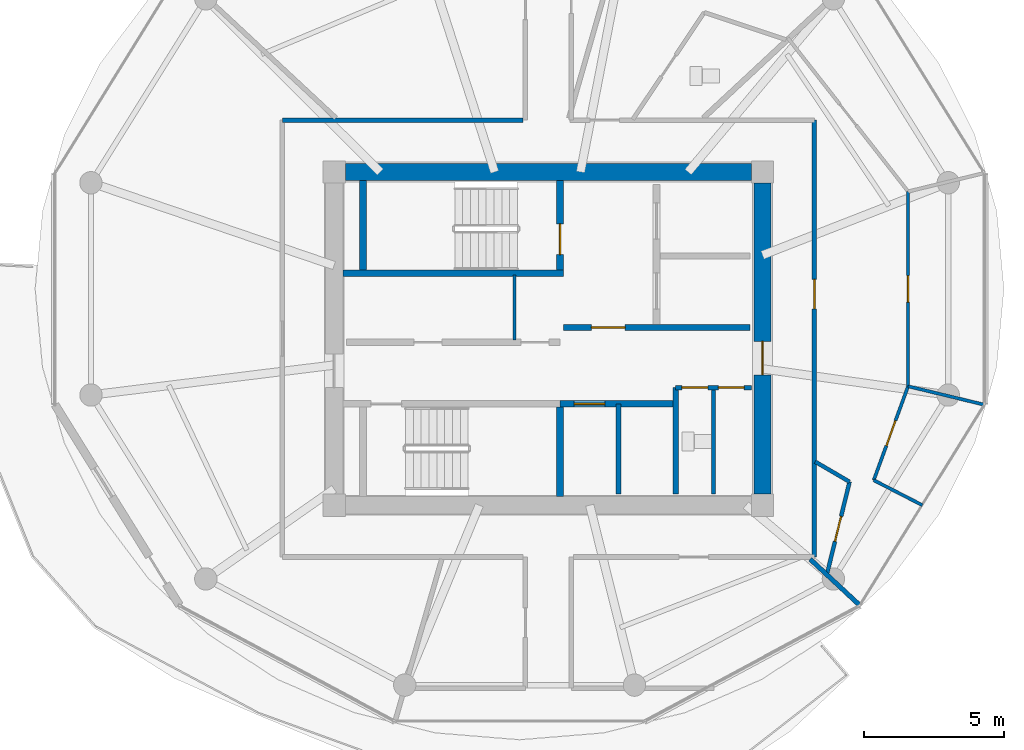
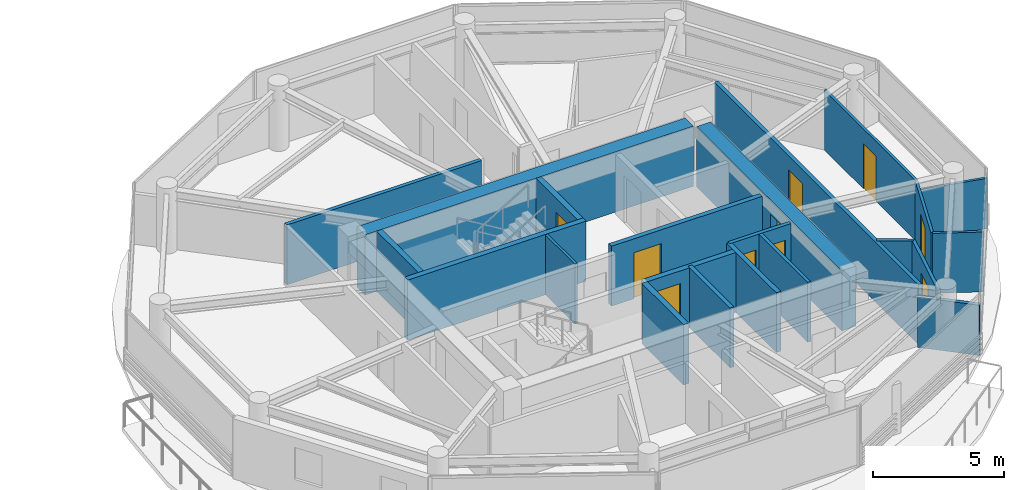
# One storey, part 15 of 21: 22 walls, 10 doors, 10 openings.
"""IFC4 building model written with IfcOpenShell, lengths in metres."""

from ifc_helpers import new_model, si_unit, direction, frame, frame_2d, origin, place, context, subcontext, project, spatial, rectangle, extrude, source, transform, mapped, material, layer, layer_set, type_object, type_shapes, element, fill, save


model = new_model("IFC4")

# Units and contexts
model_context = context("Model", 3, precision=1e-05, world=origin(), true_north=direction((0.0, 1.0)))
body_context = subcontext(model_context, "Body", "Model", "MODEL_VIEW")
ifc_project = project(units=[si_unit("LENGTHUNIT", "METRE"), si_unit("AREAUNIT", "SQUARE_METRE"), si_unit("VOLUMEUNIT", "CUBIC_METRE"), si_unit("PLANEANGLEUNIT", "RADIAN"), si_unit("MASSUNIT", "GRAM", prefix="KILO")], contexts=[model_context])

# Site, building, storey
site_placement = place(None, origin())
site = spatial("IfcSite", under=ifc_project, at=site_placement, CompositionType="ELEMENT")
building_placement = place(site_placement, origin())
building = spatial("IfcBuilding", under=site, at=building_placement, Name="Norrkilde Senior Care Towers", CompositionType="ELEMENT")
storey_placement = place(building_placement, frame((0.0, 0.0, 146.5)))
storey = spatial("IfcBuildingStorey", under=building, at=storey_placement, Name="L45", CompositionType="ELEMENT", Elevation=146.5)

# Wall
ifc_material_1 = material(Name="Concrete C50/60", Category="concrete")
ifc_layer_1 = layer(ifc_material_1, 0.6201171875)
ifc_layer_set_1 = layer_set([ifc_layer_1], Name="Concrete C50/60")
wall_type_1 = type_object("IfcWallType", Name="Core Shear Wall Z3 620", PredefinedType="SHEAR", material=ifc_layer_set_1)
shared_shape_1 = source(origin(), body_context, "Body", "SweptSolid", [
    extrude(rectangle(XDim=14.5, YDim=0.6201171875, at=frame_2d((7.25, 0.0))), origin(), (0.0, 0.0, 1.0), 2.81005859375),
])
wall_1_placement = place(storey_placement, frame((20.75, 5.949951171875, 0.0), z_axis=(0.0, 0.0, 1.0), x_axis=(1.0, 0.0, 0.0)))
element("IfcWall", 1, at=wall_1_placement, inside=storey, type_object=wall_type_1, Name="L45 Core E North Shear Wall", PredefinedType="SHEAR", context=body_context, shape_type="MappedRepresentation", body=[
    mapped(shared_shape_1, transform((0.0, 0.0, 0.0), x_axis=(1.0, 0.0, 0.0), y_axis=(0.0, 1.0, 0.0), z_axis=(0.0, 0.0, 1.0), scale=1.0)),
])

# Wall, opening, door
shared_shape_2 = source(origin(), body_context, "Body", "SweptSolid", [
    extrude(rectangle(XDim=11.10009765625, YDim=0.6201171875, at=frame_2d((5.550048828125, 0.0))), origin(), (0.0, 0.0, 1.0), 2.81005859375),
])
type_shapes(wall_type_1, [shared_shape_1, shared_shape_2])
wall_2_placement = place(storey_placement, frame((35.64990234375, 5.550048828125, 0.0), z_axis=(0.0, 0.0, 1.0), x_axis=(0.0, -1.0, 0.0)))
wall_2 = element("IfcWall", 2, at=wall_2_placement, inside=storey, type_object=wall_type_1, Name="L45 Core E East Shear Wall", PredefinedType="SHEAR", context=body_context, shape_type="MappedRepresentation", body=[
    mapped(shared_shape_2, transform((0.0, 0.0, 0.0), x_axis=(1.0, 0.0, 0.0), y_axis=(0.0, 1.0, 0.0), z_axis=(0.0, 0.0, 1.0), scale=1.0)),
])
opening_1_placement = place(wall_2_placement, frame((5.64990234375, 0.0, 0.0)))
opening_1 = element("IfcOpeningElement", 3, at=opening_1_placement, cuts=wall_2, Name="Opening D-04", PredefinedType="OPENING", context=body_context, shape_type="SweptSolid", body=[
    extrude(rectangle(XDim=1.199951171875, YDim=2.14990234375, at=frame_2d((0.60009765625, 1.074951171875))), frame((0.0, 0.320068359375, 0.0), z_axis=(0.0, -1.0, 0.0), x_axis=(1.0, 0.0, 0.0)), (0.0, 0.0, 1.0), 0.64013671875),
])
ifc_material_2 = material(Name="Galvanised Painted Steel", Category="steel")
door_type_1 = type_object("IfcDoorType", Name="Firefighting Lobby Fire Door 1200x2150", OperationType="NOTDEFINED", PredefinedType="DOOR", material=ifc_material_2)
shared_shape_3 = source(origin(), body_context, "Body", "SweptSolid", [
    extrude(rectangle(XDim=1.199951171875, YDim=2.14990234375, at=frame_2d((0.60009765625, 1.074951171875))), frame((0.0, 0.02490234375, 0.0), z_axis=(0.0, -1.0, 0.0), x_axis=(1.0, 0.0, 0.0)), (0.0, 0.0, 1.0), 0.050048828125),
])
type_shapes(door_type_1, [shared_shape_3])
door_1_placement = place(opening_1_placement, frame((1.199951171875, 0.0, 0.0), z_axis=(0.0, 0.0, 1.0), x_axis=(-1.0, 0.0, 0.0)))
door_1 = element("IfcDoor", 4, at=door_1_placement, inside=storey, type_object=door_type_1, Name="L45 Core E East Portal Door", OperationType="SINGLE_SWING_RIGHT", OverallHeight=2.14990234375, OverallWidth=1.199951171875, PredefinedType="DOOR", context=body_context, shape_type="MappedRepresentation", body=[
    mapped(shared_shape_3, transform((0.0, 0.0, 0.0), x_axis=(1.0, 0.0, 0.0), y_axis=(0.0, 1.0, 0.0), z_axis=(0.0, 0.0, 1.0), scale=1.0)),
])
fill(opening_1, door_1)

# Walls
ifc_material_3 = material(Name="Concrete C45/55", Category="concrete")
ifc_layer_2 = layer(ifc_material_3, 0.239990234375)
ifc_layer_set_2 = layer_set([ifc_layer_2], Name="Concrete C45/55")
wall_type_2 = type_object("IfcWallType", Name="Shaft and Stair Enclosure Wall 240", PredefinedType="PARTITIONING", material=ifc_layer_set_2)
shared_shape_4 = source(origin(), body_context, "Body", "SweptSolid", [
    extrude(rectangle(XDim=7.880126953125, YDim=0.239990234375, at=frame_2d((3.93994140625, 0.0))), origin(), (0.0, 0.0, 1.0), 2.81005859375),
])
wall_3_placement = place(storey_placement, frame((20.659912109375, 2.330078125, 0.0), z_axis=(0.0, 0.0, 1.0), x_axis=(1.0, 0.0, 0.0)))
element("IfcWall", 5, at=wall_3_placement, inside=storey, type_object=wall_type_2, Name="WL-INT-L45-E-ST1S", PredefinedType="PARTITIONING", context=body_context, shape_type="MappedRepresentation", body=[
    mapped(shared_shape_4, transform((0.0, 0.0, 0.0), x_axis=(1.0, 0.0, 0.0), y_axis=(0.0, 1.0, 0.0), z_axis=(0.0, 0.0, 1.0), scale=1.0)),
])
shared_shape_5 = source(origin(), body_context, "Body", "SweptSolid", [
    extrude(rectangle(XDim=3.18994140625, YDim=0.239990234375, at=frame_2d((1.594970703125, 0.0))), origin(), (0.0, 0.0, 1.0), 2.81005859375),
])
type_shapes(wall_type_2, [shared_shape_4, shared_shape_5])
wall_4_placement = place(storey_placement, frame((21.3798828125, 2.449951171875, 0.0), z_axis=(0.0, 0.0, 1.0), x_axis=(0.0, 1.0, 0.0)))
element("IfcWall", 6, at=wall_4_placement, inside=storey, type_object=wall_type_2, Name="WL-INT-L45-E-ST1W", PredefinedType="PARTITIONING", context=body_context, shape_type="MappedRepresentation", body=[
    mapped(shared_shape_5, transform((0.0, 0.0, 0.0), x_axis=(1.0, 0.0, 0.0), y_axis=(0.0, 1.0, 0.0), z_axis=(0.0, 0.0, 1.0), scale=1.0)),
])

# Wall, opening, door
wall_5_placement = place(storey_placement, frame((28.419921875, 2.449951171875, 0.0), z_axis=(0.0, 0.0, 1.0), x_axis=(0.0, 1.0, 0.0)))
wall_5 = element("IfcWall", 7, at=wall_5_placement, inside=storey, type_object=wall_type_2, Name="WL-INT-L45-E-ST1E", PredefinedType="PARTITIONING", context=body_context, shape_type="MappedRepresentation", body=[
    mapped(shared_shape_5, transform((0.0, 0.0, 0.0), x_axis=(1.0, 0.0, 0.0), y_axis=(0.0, 1.0, 0.0), z_axis=(0.0, 0.0, 1.0), scale=1.0)),
])
opening_2_placement = place(wall_5_placement, frame((0.550048828125, 0.0, 0.0)))
opening_2 = element("IfcOpeningElement", 8, at=opening_2_placement, cuts=wall_5, Name="Opening D-03", PredefinedType="OPENING", context=body_context, shape_type="SweptSolid", body=[
    extrude(rectangle(XDim=1.10009765625, YDim=2.14990234375, at=frame_2d((0.550048828125, 1.074951171875))), frame((0.0, 0.1298828125, 0.0), z_axis=(0.0, -1.0, 0.0), x_axis=(1.0, 0.0, 0.0)), (0.0, 0.0, 1.0), 0.260009765625),
])
door_type_2 = type_object("IfcDoorType", Name="Stairwell Protected Fire Door 1100x2150", OperationType="NOTDEFINED", PredefinedType="DOOR", material=ifc_material_2)
shared_shape_6 = source(origin(), body_context, "Body", "SweptSolid", [
    extrude(rectangle(XDim=1.10009765625, YDim=2.14990234375, at=frame_2d((0.550048828125, 1.074951171875))), frame((0.0, 0.02490234375, 0.0), z_axis=(0.0, -1.0, 0.0), x_axis=(1.0, 0.0, 0.0)), (0.0, 0.0, 1.0), 0.050048828125),
])
type_shapes(door_type_2, [shared_shape_6])
door_2_placement = place(opening_2_placement, origin())
door_2 = element("IfcDoor", 9, at=door_2_placement, inside=storey, type_object=door_type_2, Name="L45 Stair E1 Fire Door", OperationType="SINGLE_SWING_LEFT", OverallHeight=2.14990234375, OverallWidth=1.10009765625, PredefinedType="DOOR", context=body_context, shape_type="MappedRepresentation", body=[
    mapped(shared_shape_6, transform((0.0, 0.0, 0.0), x_axis=(1.0, 0.0, 0.0), y_axis=(0.0, 1.0, 0.0), z_axis=(0.0, 0.0, 1.0), scale=1.0)),
])
fill(opening_2, door_2)

# Wall
wall_6_placement = place(storey_placement, frame((28.419921875, -5.639892578125, 0.0), z_axis=(0.0, 0.0, 1.0), x_axis=(0.0, 1.0, 0.0)))
element("IfcWall", 10, at=wall_6_placement, inside=storey, type_object=wall_type_2, Name="WL-INT-L45-E-ST2E", PredefinedType="PARTITIONING", context=body_context, shape_type="MappedRepresentation", body=[
    mapped(shared_shape_5, transform((0.0, 0.0, 0.0), x_axis=(1.0, 0.0, 0.0), y_axis=(0.0, 1.0, 0.0), z_axis=(0.0, 0.0, 1.0), scale=1.0)),
])

# Wall, opening, door
ifc_layer_3 = layer(ifc_material_3, 0.2099609375)
ifc_layer_set_3 = layer_set([ifc_layer_3], Name="Concrete C45/55")
wall_type_3 = type_object("IfcWallType", Name="Firefighting Lobby Wall 210", PredefinedType="PARTITIONING", material=ifc_layer_set_3)
shared_shape_7 = source(origin(), body_context, "Body", "SweptSolid", [
    extrude(rectangle(XDim=6.659912109375, YDim=0.2099609375, at=frame_2d((3.330078125, 0.0))), origin(), (0.0, 0.0, 1.0), 2.794921875),
])
type_shapes(wall_type_3, [shared_shape_7])
wall_7_placement = place(storey_placement, frame((28.5400390625, 0.389892578125, 0.0), z_axis=(0.0, 0.0, 1.0), x_axis=(1.0, 0.0, 0.0)))
wall_7 = element("IfcWall", 11, at=wall_7_placement, inside=storey, type_object=wall_type_3, Name="WL-INT-L45-E-FFLS", PredefinedType="PARTITIONING", context=body_context, shape_type="MappedRepresentation", body=[
    mapped(shared_shape_7, transform((0.0, 0.0, 0.0), x_axis=(1.0, 0.0, 0.0), y_axis=(0.0, 1.0, 0.0), z_axis=(0.0, 0.0, 1.0), scale=1.0)),
])
opening_3_placement = place(wall_7_placement, frame((1.0, 0.0, 0.0)))
opening_3 = element("IfcOpeningElement", 12, at=opening_3_placement, cuts=wall_7, Name="Opening D-04", PredefinedType="OPENING", context=body_context, shape_type="SweptSolid", body=[
    extrude(rectangle(XDim=1.199951171875, YDim=2.14990234375, at=frame_2d((0.60009765625, 1.074951171875))), frame((0.0, 0.114990234375, 0.0), z_axis=(0.0, -1.0, 0.0), x_axis=(1.0, 0.0, 0.0)), (0.0, 0.0, 1.0), 0.22998046875),
])
door_3_placement = place(opening_3_placement, frame((1.199951171875, 0.0, 0.0), z_axis=(0.0, 0.0, 1.0), x_axis=(-1.0, 0.0, 0.0)))
door_3 = element("IfcDoor", 13, at=door_3_placement, inside=storey, type_object=door_type_1, Name="L45 Firefighting Lobby E Door", OperationType="SINGLE_SWING_LEFT", OverallHeight=2.14990234375, OverallWidth=1.199951171875, PredefinedType="DOOR", context=body_context, shape_type="MappedRepresentation", body=[
    mapped(shared_shape_3, transform((0.0, 0.0, 0.0), x_axis=(1.0, 0.0, 0.0), y_axis=(0.0, 1.0, 0.0), z_axis=(0.0, 0.0, 1.0), scale=1.0)),
])
fill(opening_3, door_3)

# Walls
ifc_material_4 = material(Name="Gypsum Acoustic Board")
ifc_layer_4 = layer(ifc_material_4, 0.114990234375)
ifc_layer_set_4 = layer_set([ifc_layer_4], Name="Gypsum Acoustic Board")
wall_type_4 = type_object("IfcWallType", Name="Internal Room Partition 115", PredefinedType="PARTITIONING", material=ifc_layer_set_4)
shared_shape_8 = source(origin(), body_context, "Body", "SweptSolid", [
    extrude(rectangle(XDim=2.330078125, YDim=0.114990234375, at=frame_2d((1.1650390625, 0.0))), origin(), (0.0, 0.0, 1.0), 2.794921875),
])
wall_8_placement = place(storey_placement, frame((26.7900390625, -0.050048828125, 0.0), z_axis=(0.0, 0.0, 1.0), x_axis=(0.0, 1.0, 0.0)))
element("IfcWall", 14, at=wall_8_placement, inside=storey, type_object=wall_type_4, Name="WL-INT-L45-E-RISW", PredefinedType="PARTITIONING", context=body_context, shape_type="MappedRepresentation", body=[
    mapped(shared_shape_8, transform((0.0, 0.0, 0.0), x_axis=(1.0, 0.0, 0.0), y_axis=(0.0, 1.0, 0.0), z_axis=(0.0, 0.0, 1.0), scale=1.0)),
])
ifc_layer_5 = layer(ifc_material_3, 0.199951171875)
ifc_layer_set_5 = layer_set([ifc_layer_5], Name="Concrete C45/55")
wall_type_5 = type_object("IfcWallType", Name="Shaft Division and Plant Partition 200", PredefinedType="PARTITIONING", material=ifc_layer_set_5)
shared_shape_9 = source(origin(), body_context, "Body", "SweptSolid", [
    extrude(rectangle(XDim=3.800048828125, YDim=0.199951171875, at=frame_2d((1.89990234375, 0.0))), origin(), (0.0, 0.0, 1.0), 2.794921875),
])
type_shapes(wall_type_5, [shared_shape_9])
wall_9_placement = place(storey_placement, frame((32.550048828125, -5.550048828125, 0.0), z_axis=(0.0, 0.0, 1.0), x_axis=(0.0, 1.0, 0.0)))
element("IfcWall", 15, at=wall_9_placement, inside=storey, type_object=wall_type_5, Name="WL-INT-L45-E-PKBE", PredefinedType="PARTITIONING", context=body_context, shape_type="MappedRepresentation", body=[
    mapped(shared_shape_9, transform((0.0, 0.0, 0.0), x_axis=(1.0, 0.0, 0.0), y_axis=(0.0, 1.0, 0.0), z_axis=(0.0, 0.0, 1.0), scale=1.0)),
])

# Wall, opening, door
ifc_layer_6 = layer(ifc_material_3, 0.239990234375)
ifc_layer_set_6 = layer_set([ifc_layer_6], Name="Concrete C45/55")
wall_type_6 = type_object("IfcWallType", Name="Lift and Plant Rated Enclosure Partition 240", PredefinedType="PARTITIONING", material=ifc_layer_set_6)
shared_shape_10 = source(origin(), body_context, "Body", "SweptSolid", [
    extrude(rectangle(XDim=4.130126953125, YDim=0.239990234375, at=frame_2d((2.06494140625, 0.0))), origin(), (0.0, 0.0, 1.0), 2.794921875),
])
type_shapes(wall_type_6, [shared_shape_10])
wall_10_placement = place(storey_placement, frame((28.419921875, -2.330078125, 0.0), z_axis=(0.0, 0.0, 1.0), x_axis=(1.0, 0.0, 0.0)))
wall_10 = element("IfcWall", 16, at=wall_10_placement, inside=storey, type_object=wall_type_6, Name="WL-INT-L45-E-PKBN", PredefinedType="PARTITIONING", context=body_context, shape_type="MappedRepresentation", body=[
    mapped(shared_shape_10, transform((0.0, 0.0, 0.0), x_axis=(1.0, 0.0, 0.0), y_axis=(0.0, 1.0, 0.0), z_axis=(0.0, 0.0, 1.0), scale=1.0)),
])
opening_4_placement = place(wall_10_placement, frame((0.5, 0.0, 0.0)))
opening_4 = element("IfcOpeningElement", 17, at=opening_4_placement, cuts=wall_10, Name="Opening LD-01", PredefinedType="OPENING", context=body_context, shape_type="SweptSolid", body=[
    extrude(rectangle(XDim=1.10009765625, YDim=2.199951171875, at=frame_2d((0.550048828125, 1.10009765625))), frame((0.0, 0.1298828125, 0.0), z_axis=(0.0, -1.0, 0.0), x_axis=(1.0, 0.0, 0.0)), (0.0, 0.0, 1.0), 0.260009765625),
])
ifc_material_5 = material(Name="Stainless Steel", Category="steel")
door_type_3 = type_object("IfcDoorType", Name="Lift Landing Sliding Door 1100x2200", OperationType="NOTDEFINED", PredefinedType="DOOR", material=ifc_material_5)
shared_shape_11 = source(origin(), body_context, "Body", "SweptSolid", [
    extrude(rectangle(XDim=1.10009765625, YDim=2.199951171875, at=frame_2d((0.550048828125, 1.10009765625))), frame((0.0, 0.02490234375, 0.0), z_axis=(0.0, -1.0, 0.0), x_axis=(1.0, 0.0, 0.0)), (0.0, 0.0, 1.0), 0.050048828125),
])
type_shapes(door_type_3, [shared_shape_11])
door_4_placement = place(opening_4_placement, frame((1.10009765625, 0.0, 0.0), z_axis=(0.0, 0.0, 1.0), x_axis=(-1.0, 0.0, 0.0)))
door_4 = element("IfcDoor", 18, at=door_4_placement, inside=storey, type_object=door_type_3, Name="L45 Passenger Lift E3 Landing Door", OperationType="SLIDING_TO_LEFT", OverallHeight=2.199951171875, OverallWidth=1.10009765625, PredefinedType="DOOR", context=body_context, shape_type="MappedRepresentation", body=[
    mapped(shared_shape_11, transform((0.0, 0.0, 0.0), x_axis=(1.0, 0.0, 0.0), y_axis=(0.0, 1.0, 0.0), z_axis=(0.0, 0.0, 1.0), scale=1.0)),
])
fill(opening_4, door_4)

# Wall
ifc_layer_7 = layer(ifc_material_3, 0.179931640625)
ifc_layer_set_7 = layer_set([ifc_layer_7], Name="Concrete C45/55")
wall_type_7 = type_object("IfcWallType", Name="Hoistway Division Rated Partition 180", PredefinedType="PARTITIONING", material=ifc_layer_set_7)
shared_shape_12 = source(origin(), body_context, "Body", "SweptSolid", [
    extrude(rectangle(XDim=3.219970703125, YDim=0.179931640625, at=frame_2d((1.60986328125, 0.0))), origin(), (0.0, 0.0, 1.0), 2.794921875),
])
type_shapes(wall_type_7, [shared_shape_12])
wall_11_placement = place(storey_placement, frame((30.5, -5.550048828125, 0.0), z_axis=(0.0, 0.0, 1.0), x_axis=(0.0, 1.0, 0.0)))
element("IfcWall", 19, at=wall_11_placement, inside=storey, type_object=wall_type_7, Name="WL-INT-L45-E-PL34", PredefinedType="PARTITIONING", context=body_context, shape_type="MappedRepresentation", body=[
    mapped(shared_shape_12, transform((0.0, 0.0, 0.0), x_axis=(1.0, 0.0, 0.0), y_axis=(0.0, 1.0, 0.0), z_axis=(0.0, 0.0, 1.0), scale=1.0)),
])

# Wall, openings, doors
ifc_layer_8 = layer(ifc_material_4, 0.1650390625)
ifc_layer_set_8 = layer_set([ifc_layer_8], Name="Gypsum Acoustic Board")
wall_type_8 = type_object("IfcWallType", Name="Corridor Rated Partition 165", PredefinedType="PARTITIONING", material=ifc_layer_set_8)
shared_shape_13 = source(origin(), body_context, "Body", "SweptSolid", [
    extrude(rectangle(XDim=2.699951171875, YDim=0.1650390625, at=frame_2d((1.35009765625, 0.0))), origin(), (0.0, 0.0, 1.0), 2.794921875),
])
wall_12_placement = place(storey_placement, frame((32.550048828125, -1.75, 0.0), z_axis=(0.0, 0.0, 1.0), x_axis=(1.0, 0.0, 0.0)))
wall_12 = element("IfcWall", 20, at=wall_12_placement, inside=storey, type_object=wall_type_8, Name="WL-INT-L45-E-CSN", PredefinedType="PARTITIONING", context=body_context, shape_type="MappedRepresentation", body=[
    mapped(shared_shape_13, transform((0.0, 0.0, 0.0), x_axis=(1.0, 0.0, 0.0), y_axis=(0.0, 1.0, 0.0), z_axis=(0.0, 0.0, 1.0), scale=1.0)),
])
opening_5_placement = place(wall_12_placement, frame((0.222412109375, 0.0, 0.0)))
opening_5 = element("IfcOpeningElement", 21, at=opening_5_placement, cuts=wall_12, Name="Opening D-12", PredefinedType="OPENING", context=body_context, shape_type="SweptSolid", body=[
    extrude(rectangle(XDim=0.925048828125, YDim=2.10009765625, at=frame_2d((0.46240234375, 1.050048828125))), frame((0.0, 0.092529296875, 0.0), z_axis=(0.0, -1.0, 0.0), x_axis=(1.0, 0.0, 0.0)), (0.0, 0.0, 1.0), 0.18505859375),
])
opening_6_placement = place(wall_12_placement, frame((1.5224609375, 0.0, 0.0)))
opening_6 = element("IfcOpeningElement", 22, at=opening_6_placement, cuts=wall_12, Name="Opening D-12", PredefinedType="OPENING", context=body_context, shape_type="SweptSolid", body=[
    extrude(rectangle(XDim=0.925048828125, YDim=2.10009765625, at=frame_2d((0.46240234375, 1.050048828125))), frame((0.0, 0.092529296875, 0.0), z_axis=(0.0, -1.0, 0.0), x_axis=(1.0, 0.0, 0.0)), (0.0, 0.0, 1.0), 0.18505859375),
])
door_type_4 = type_object("IfcDoorType", Name="Core Wet Room Rated Door 925x2100", OperationType="NOTDEFINED", PredefinedType="DOOR", material=ifc_material_2)
shared_shape_14 = source(origin(), body_context, "Body", "SweptSolid", [
    extrude(rectangle(XDim=0.925048828125, YDim=2.10009765625, at=frame_2d((0.46240234375, 1.050048828125))), frame((0.0, 0.02490234375, 0.0), z_axis=(0.0, -1.0, 0.0), x_axis=(1.0, 0.0, 0.0)), (0.0, 0.0, 1.0), 0.050048828125),
])
type_shapes(door_type_4, [shared_shape_14])
door_5_placement = place(opening_5_placement, origin())
door_5 = element("IfcDoor", 23, at=door_5_placement, inside=storey, type_object=door_type_4, Name="L45 Staff Accessible WC E Door", OperationType="SINGLE_SWING_LEFT", OverallHeight=2.10009765625, OverallWidth=0.925048828125, PredefinedType="DOOR", context=body_context, shape_type="MappedRepresentation", body=[
    mapped(shared_shape_14, transform((0.0, 0.0, 0.0), x_axis=(1.0, 0.0, 0.0), y_axis=(0.0, 1.0, 0.0), z_axis=(0.0, 0.0, 1.0), scale=1.0)),
])
fill(opening_5, door_5)
door_6_placement = place(opening_6_placement, origin())
door_6 = element("IfcDoor", 24, at=door_6_placement, inside=storey, type_object=door_type_4, Name="L45 Housekeeping Store E Door", OperationType="SINGLE_SWING_RIGHT", OverallHeight=2.10009765625, OverallWidth=0.925048828125, PredefinedType="DOOR", context=body_context, shape_type="MappedRepresentation", body=[
    mapped(shared_shape_14, transform((0.0, 0.0, 0.0), x_axis=(1.0, 0.0, 0.0), y_axis=(0.0, 1.0, 0.0), z_axis=(0.0, 0.0, 1.0), scale=1.0)),
])
fill(opening_6, door_6)

# Wall
shared_shape_15 = source(origin(), body_context, "Body", "SweptSolid", [
    extrude(rectangle(XDim=8.60009765625, YDim=0.1650390625, at=frame_2d((4.300048828125, 0.0))), origin(), (0.0, 0.0, 1.0), 2.794921875),
])
wall_13_placement = place(storey_placement, frame((18.5, 7.800048828125, 0.0), z_axis=(0.0, 0.0, 1.0), x_axis=(1.0, 0.0, 0.0)))
element("IfcWall", 25, at=wall_13_placement, inside=storey, type_object=wall_type_8, Name="WL-INT-L45-E-CRW-N-0", PredefinedType="PARTITIONING", context=body_context, shape_type="MappedRepresentation", body=[
    mapped(shared_shape_15, transform((0.0, 0.0, 0.0), x_axis=(1.0, 0.0, 0.0), y_axis=(0.0, 1.0, 0.0), z_axis=(0.0, 0.0, 1.0), scale=1.0)),
])

# Wall, opening, door
shared_shape_16 = source(origin(), body_context, "Body", "SweptSolid", [
    extrude(rectangle(XDim=15.60009765625, YDim=0.1650390625, at=frame_2d((7.800048828125, 0.0))), origin(), (0.0, 0.0, 1.0), 2.794921875),
])
wall_14_placement = place(storey_placement, frame((37.5, 7.800048828125, 0.0), z_axis=(0.0, 0.0, 1.0), x_axis=(0.0, -1.0, 0.0)))
wall_14 = element("IfcWall", 26, at=wall_14_placement, inside=storey, type_object=wall_type_8, Name="WL-INT-L45-E-CRW-E-0", PredefinedType="PARTITIONING", context=body_context, shape_type="MappedRepresentation", body=[
    mapped(shared_shape_16, transform((0.0, 0.0, 0.0), x_axis=(1.0, 0.0, 0.0), y_axis=(0.0, 1.0, 0.0), z_axis=(0.0, 0.0, 1.0), scale=1.0)),
])
opening_7_placement = place(wall_14_placement, frame((5.6865234375, 0.0, 0.0)))
opening_7 = element("IfcOpeningElement", 27, at=opening_7_placement, cuts=wall_14, Name="Opening D-06", PredefinedType="OPENING", context=body_context, shape_type="SweptSolid", body=[
    extrude(rectangle(XDim=1.050048828125, YDim=2.14990234375, at=frame_2d((0.52490234375, 1.074951171875))), frame((0.0, 0.092529296875, 0.0), z_axis=(0.0, -1.0, 0.0), x_axis=(1.0, 0.0, 0.0)), (0.0, 0.0, 1.0), 0.18505859375),
])
ifc_material_6 = material(Name="Nordic Ash Timber", Category="wood")
door_type_5 = type_object("IfcDoorType", Name="Apartment Entrance Fire Door 1050x2150", OperationType="NOTDEFINED", PredefinedType="DOOR", material=ifc_material_6)
shared_shape_17 = source(origin(), body_context, "Body", "SweptSolid", [
    extrude(rectangle(XDim=1.050048828125, YDim=2.14990234375, at=frame_2d((0.52490234375, 1.074951171875))), frame((0.0, 0.02490234375, 0.0), z_axis=(0.0, -1.0, 0.0), x_axis=(1.0, 0.0, 0.0)), (0.0, 0.0, 1.0), 0.050048828125),
])
type_shapes(door_type_5, [shared_shape_17])
door_7_placement = place(opening_7_placement, frame((1.050048828125, 0.0, 0.0), z_axis=(0.0, 0.0, 1.0), x_axis=(-1.0, 0.0, 0.0)))
door_7 = element("IfcDoor", 28, at=door_7_placement, inside=storey, type_object=door_type_5, Name="Apartment 45B Entrance Door", OperationType="SINGLE_SWING_LEFT", OverallHeight=2.14990234375, OverallWidth=1.050048828125, PredefinedType="DOOR", context=body_context, shape_type="MappedRepresentation", body=[
    mapped(shared_shape_17, transform((0.0, 0.0, 0.0), x_axis=(1.0, 0.0, 0.0), y_axis=(0.0, 1.0, 0.0), z_axis=(0.0, 0.0, 1.0), scale=1.0)),
])
fill(opening_7, door_7)

# Walls
shared_shape_18 = source(origin(), body_context, "Body", "SweptSolid", [
    extrude(rectangle(XDim=2.434814453125, YDim=0.1650390625, at=frame_2d((1.21728515625, 0.0))), origin(), (0.0, 0.0, 1.0), 2.344970703125),
])
type_shapes(wall_type_8, [shared_shape_13, shared_shape_15, shared_shape_16, shared_shape_18])
wall_15_placement = place(storey_placement, frame((37.3544921875, -7.8798828125, 0.0), z_axis=(0.0, 0.0, 1.0), x_axis=(0.732164643118, -0.681127693878, 0.0)))
element("IfcWall", 29, at=wall_15_placement, inside=storey, type_object=wall_type_8, Name="WL-INT-L45-E-DEM-10-0", PredefinedType="PARTITIONING", context=body_context, shape_type="MappedRepresentation", body=[
    mapped(shared_shape_18, transform((0.0, 0.0, 0.0), x_axis=(1.0, 0.0, 0.0), y_axis=(0.0, 1.0, 0.0), z_axis=(0.0, 0.0, 1.0), scale=1.0)),
])
ifc_layer_9 = layer(ifc_material_4, 0.139892578125)
ifc_layer_set_9 = layer_set([ifc_layer_9], Name="Gypsum Acoustic Board")
wall_type_9 = type_object("IfcWallType", Name="En-suite Wet Room Wall 140", PredefinedType="PARTITIONING", material=ifc_layer_set_9)
shared_shape_19 = source(origin(), body_context, "Body", "SweptSolid", [
    extrude(rectangle(XDim=1.4248046875, YDim=0.139892578125, at=frame_2d((0.71240234375, 0.0))), origin(), (0.0, 0.0, 1.0), 2.794921875),
])
wall_16_placement = place(storey_placement, frame((37.530029296875, -4.3955078125, 0.0), z_axis=(0.0, 0.0, 1.0), x_axis=(0.86324395577, -0.50478695786, 0.0)))
element("IfcWall", 30, at=wall_16_placement, inside=storey, type_object=wall_type_9, Name="WL-INT-L45-E-UBTS-10", PredefinedType="PARTITIONING", context=body_context, shape_type="MappedRepresentation", body=[
    mapped(shared_shape_19, transform((0.0, 0.0, 0.0), x_axis=(1.0, 0.0, 0.0), y_axis=(0.0, 1.0, 0.0), z_axis=(0.0, 0.0, 1.0), scale=1.0)),
])

# Wall, opening, door
shared_shape_20 = source(origin(), body_context, "Body", "SweptSolid", [
    extrude(rectangle(XDim=3.46435546875, YDim=0.139892578125, at=frame_2d((1.732177734375, 0.0))), origin(), (0.0, 0.0, 1.0), 2.794921875),
])
wall_17_placement = place(storey_placement, frame((38.760009765625, -5.11474609375, 0.0), z_axis=(0.0, 0.0, 1.0), x_axis=(-0.238055968485, -0.971251438027, 0.0)))
wall_17 = element("IfcWall", 31, at=wall_17_placement, inside=storey, type_object=wall_type_9, Name="WL-INT-L45-E-UBTF-10", PredefinedType="PARTITIONING", context=body_context, shape_type="MappedRepresentation", body=[
    mapped(shared_shape_20, transform((0.0, 0.0, 0.0), x_axis=(1.0, 0.0, 0.0), y_axis=(0.0, 1.0, 0.0), z_axis=(0.0, 0.0, 1.0), scale=1.0)),
])
opening_8_placement = place(wall_17_placement, frame((1.272216796875, 0.0, 0.0)))
opening_8 = element("IfcOpeningElement", 32, at=opening_8_placement, cuts=wall_17, Name="Opening D-08", PredefinedType="OPENING", context=body_context, shape_type="SweptSolid", body=[
    extrude(rectangle(XDim=0.919921875, YDim=2.10009765625, at=frame_2d((0.4599609375, 1.050048828125))), frame((0.0, 0.079833984375, 0.0), z_axis=(0.0, -1.0, 0.0), x_axis=(1.0, 0.0, 0.0)), (0.0, 0.0, 1.0), 0.159912109375),
])
door_type_6 = type_object("IfcDoorType", Name="Accessible Wet Room Door 920x2100", OperationType="NOTDEFINED", PredefinedType="DOOR", material=ifc_material_6)
shared_shape_21 = source(origin(), body_context, "Body", "SweptSolid", [
    extrude(rectangle(XDim=0.919921875, YDim=2.10009765625, at=frame_2d((0.4599609375, 1.050048828125))), frame((0.0, 0.02490234375, 0.0), z_axis=(0.0, -1.0, 0.0), x_axis=(1.0, 0.0, 0.0)), (0.0, 0.0, 1.0), 0.050048828125),
])
type_shapes(door_type_6, [shared_shape_21])
door_8_placement = place(opening_8_placement, origin())
door_8 = element("IfcDoor", 33, at=door_8_placement, inside=storey, type_object=door_type_6, Name="Apartment 45B Bathroom Door", OperationType="SINGLE_SWING_RIGHT", OverallHeight=2.10009765625, OverallWidth=0.919921875, PredefinedType="DOOR", context=body_context, shape_type="MappedRepresentation", body=[
    mapped(shared_shape_21, transform((0.0, 0.0, 0.0), x_axis=(1.0, 0.0, 0.0), y_axis=(0.0, 1.0, 0.0), z_axis=(0.0, 0.0, 1.0), scale=1.0)),
])
fill(opening_8, door_8)

# Walls
shared_shape_22 = source(origin(), body_context, "Body", "SweptSolid", [
    extrude(rectangle(XDim=2.81689453125, YDim=0.114990234375, at=frame_2d((1.408447265625, 0.0))), origin(), (0.0, 0.0, 1.0), 2.344970703125),
])
wall_18_placement = place(storey_placement, frame((40.85107421875, -1.703369140625, 0.0), z_axis=(0.0, 0.0, 1.0), x_axis=(0.971960052091, -0.235146033647, 0.0)))
element("IfcWall", 34, at=wall_18_placement, inside=storey, type_object=wall_type_4, Name="WL-INT-L45-E-UBR-10-1", PredefinedType="PARTITIONING", context=body_context, shape_type="MappedRepresentation", body=[
    mapped(shared_shape_22, transform((0.0, 0.0, 0.0), x_axis=(1.0, 0.0, 0.0), y_axis=(0.0, 1.0, 0.0), z_axis=(0.0, 0.0, 1.0), scale=1.0)),
])
shared_shape_23 = source(origin(), body_context, "Body", "SweptSolid", [
    extrude(rectangle(XDim=3.800048828125, YDim=0.139892578125, at=frame_2d((1.89990234375, 0.0))), origin(), (0.0, 0.0, 1.0), 2.794921875),
])
type_shapes(wall_type_9, [shared_shape_19, shared_shape_20, shared_shape_23])
wall_19_placement = place(storey_placement, frame((33.89990234375, -5.550048828125, 0.0), z_axis=(0.0, 0.0, 1.0), x_axis=(0.0, 1.0, 0.0)))
element("IfcWall", 35, at=wall_19_placement, inside=storey, type_object=wall_type_9, Name="WL-INT-L45-E-CS1V", PredefinedType="PARTITIONING", context=body_context, shape_type="MappedRepresentation", body=[
    mapped(shared_shape_23, transform((0.0, 0.0, 0.0), x_axis=(1.0, 0.0, 0.0), y_axis=(0.0, 1.0, 0.0), z_axis=(0.0, 0.0, 1.0), scale=1.0)),
])

# Wall, opening, door
shared_shape_24 = source(origin(), body_context, "Body", "SweptSolid", [
    extrude(rectangle(XDim=6.95751953125, YDim=0.114990234375, at=frame_2d((3.478759765625, 0.0))), origin(), (0.0, 0.0, 1.0), 2.794921875),
])
wall_20_placement = place(storey_placement, frame((40.85107421875, -1.703369140625, 0.0), z_axis=(0.0, 0.0, 1.0), x_axis=(0.0, 1.0, 0.0)))
wall_20 = element("IfcWall", 36, at=wall_20_placement, inside=storey, type_object=wall_type_4, Name="WL-INT-L45-E-UBC-10-1", PredefinedType="PARTITIONING", context=body_context, shape_type="MappedRepresentation", body=[
    mapped(shared_shape_24, transform((0.0, 0.0, 0.0), x_axis=(1.0, 0.0, 0.0), y_axis=(0.0, 1.0, 0.0), z_axis=(0.0, 0.0, 1.0), scale=1.0)),
])
opening_9_placement = place(wall_20_placement, frame((3.003662109375, 0.0, 0.0)))
opening_9 = element("IfcOpeningElement", 37, at=opening_9_placement, cuts=wall_20, Name="Opening D-07", PredefinedType="OPENING", context=body_context, shape_type="SweptSolid", body=[
    extrude(rectangle(XDim=0.949951171875, YDim=2.10009765625, at=frame_2d((0.47509765625, 1.050048828125))), frame((0.0, 0.0673828125, 0.0), z_axis=(0.0, -1.0, 0.0), x_axis=(1.0, 0.0, 0.0)), (0.0, 0.0, 1.0), 0.135009765625),
])
door_type_7 = type_object("IfcDoorType", Name="Internal Suite Bedroom Door 950x2100", OperationType="NOTDEFINED", PredefinedType="DOOR", material=ifc_material_6)
shared_shape_25 = source(origin(), body_context, "Body", "SweptSolid", [
    extrude(rectangle(XDim=0.949951171875, YDim=2.10009765625, at=frame_2d((0.47509765625, 1.050048828125))), frame((0.0, 0.02490234375, 0.0), z_axis=(0.0, -1.0, 0.0), x_axis=(1.0, 0.0, 0.0)), (0.0, 0.0, 1.0), 0.050048828125),
])
type_shapes(door_type_7, [shared_shape_25])
door_9_placement = place(opening_9_placement, origin())
door_9 = element("IfcDoor", 38, at=door_9_placement, inside=storey, type_object=door_type_7, Name="Apartment 45B Bedroom 1 Door", OperationType="SINGLE_SWING_RIGHT", OverallHeight=2.10009765625, OverallWidth=0.949951171875, PredefinedType="DOOR", context=body_context, shape_type="MappedRepresentation", body=[
    mapped(shared_shape_25, transform((0.0, 0.0, 0.0), x_axis=(1.0, 0.0, 0.0), y_axis=(0.0, 1.0, 0.0), z_axis=(0.0, 0.0, 1.0), scale=1.0)),
])
fill(opening_9, door_9)

# Wall
shared_shape_26 = source(origin(), body_context, "Body", "SweptSolid", [
    extrude(rectangle(XDim=1.95703125, YDim=0.114990234375, at=frame_2d((0.978515625, 0.0))), origin(), (0.0, 0.0, 1.0), 2.794921875),
])
wall_21_placement = place(storey_placement, frame((39.622802734375, -5.056884765625, 0.0), z_axis=(0.0, 0.0, 1.0), x_axis=(0.889228358674, -0.45746357902, 0.0)))
element("IfcWall", 39, at=wall_21_placement, inside=storey, type_object=wall_type_4, Name="WL-INT-L45-E-UKTS-10", PredefinedType="PARTITIONING", context=body_context, shape_type="MappedRepresentation", body=[
    mapped(shared_shape_26, transform((0.0, 0.0, 0.0), x_axis=(1.0, 0.0, 0.0), y_axis=(0.0, 1.0, 0.0), z_axis=(0.0, 0.0, 1.0), scale=1.0)),
])

# Wall, opening, door
shared_shape_27 = source(origin(), body_context, "Body", "SweptSolid", [
    extrude(rectangle(XDim=3.5712890625, YDim=0.114990234375, at=frame_2d((1.78564453125, 0.0))), origin(), (0.0, 0.0, 1.0), 2.794921875),
])
type_shapes(wall_type_4, [shared_shape_8, shared_shape_22, shared_shape_24, shared_shape_26, shared_shape_27])
wall_22_placement = place(storey_placement, frame((39.622802734375, -5.056884765625, 0.0), z_axis=(0.0, 0.0, 1.0), x_axis=(0.343515356993, 0.939147059576, 0.0)))
wall_22 = element("IfcWall", 40, at=wall_22_placement, inside=storey, type_object=wall_type_4, Name="WL-INT-L45-E-UKTF-10", PredefinedType="PARTITIONING", context=body_context, shape_type="MappedRepresentation", body=[
    mapped(shared_shape_27, transform((0.0, 0.0, 0.0), x_axis=(1.0, 0.0, 0.0), y_axis=(0.0, 1.0, 0.0), z_axis=(0.0, 0.0, 1.0), scale=1.0)),
])
opening_10_placement = place(wall_22_placement, frame((1.310546875, 0.0, 0.0)))
opening_10 = element("IfcOpeningElement", 41, at=opening_10_placement, cuts=wall_22, Name="Opening D-07", PredefinedType="OPENING", context=body_context, shape_type="SweptSolid", body=[
    extrude(rectangle(XDim=0.949951171875, YDim=2.10009765625, at=frame_2d((0.47509765625, 1.050048828125))), frame((0.0, 0.0673828125, 0.0), z_axis=(0.0, -1.0, 0.0), x_axis=(1.0, 0.0, 0.0)), (0.0, 0.0, 1.0), 0.135009765625),
])
door_10_placement = place(opening_10_placement, frame((0.949951171875, 0.0, 0.0), z_axis=(0.0, 0.0, 1.0), x_axis=(-1.0, 0.0, 0.0)))
door_10 = element("IfcDoor", 42, at=door_10_placement, inside=storey, type_object=door_type_7, Name="Apartment 45B Kitchen Door", OperationType="SINGLE_SWING_LEFT", OverallHeight=2.10009765625, OverallWidth=0.949951171875, PredefinedType="DOOR", context=body_context, shape_type="MappedRepresentation", body=[
    mapped(shared_shape_25, transform((0.0, 0.0, 0.0), x_axis=(1.0, 0.0, 0.0), y_axis=(0.0, 1.0, 0.0), z_axis=(0.0, 0.0, 1.0), scale=1.0)),
])
fill(opening_10, door_10)

save(model, "model.ifc")
